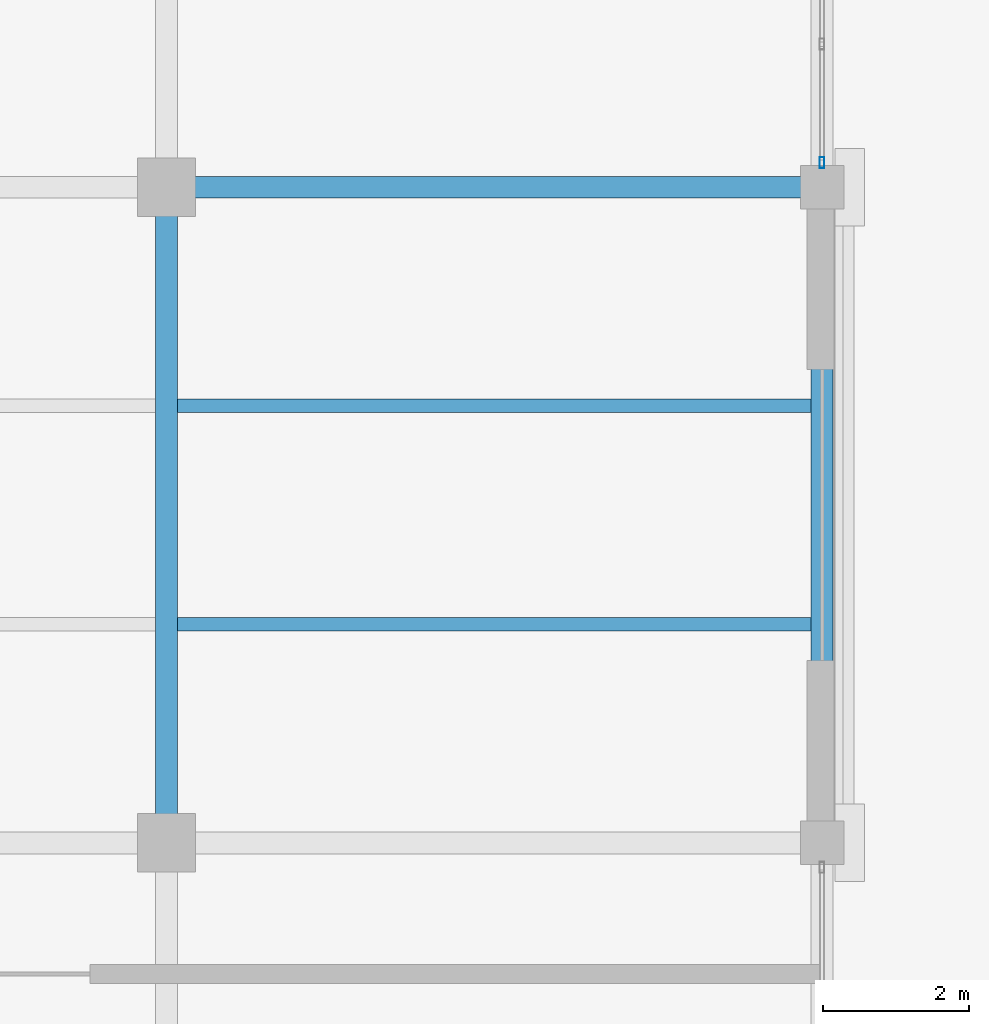
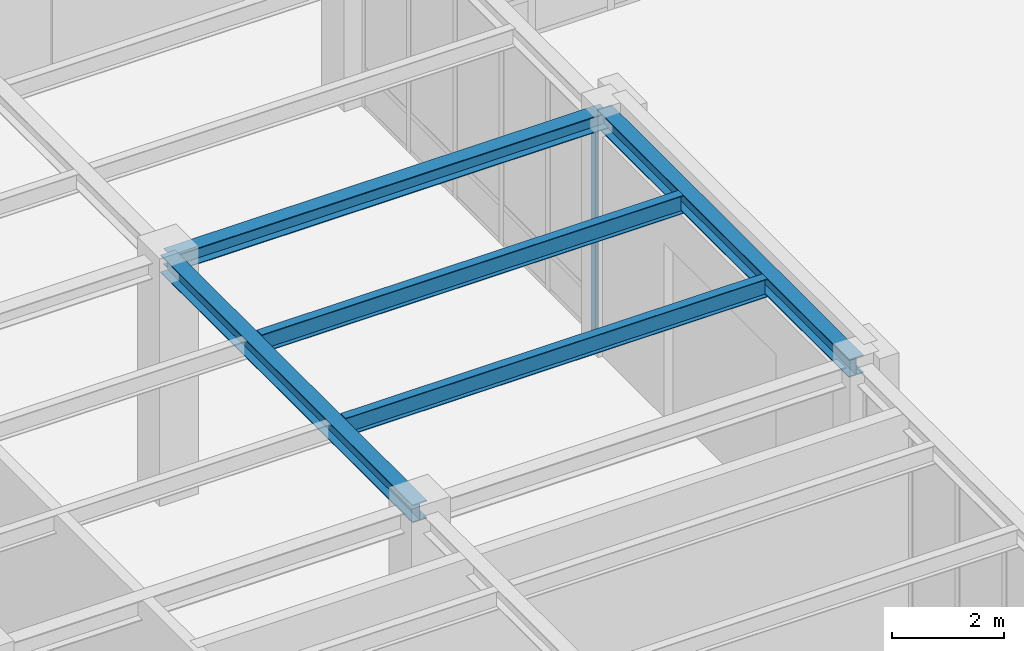
# One storey, part 44 of 77: 5 beams, 1 member, 1 element without a shape of its own.
"""IFC4 building model written with IfcOpenShell, lengths in metres."""

from ifc_helpers import new_model, si_unit, direction, frame, origin, origin_2d, place, context, subcontext, project, spatial, hollow_rectangle, i_section, extrude, material, material_profile, profile_set, type_object, element, aggregate, save


model = new_model("IFC4")

# Units and contexts
model_context = context("Model", 3, precision=1e-05, world=origin(), true_north=direction((0.0, 1.0)))
body_context = subcontext(model_context, "Body", "Model", "MODEL_VIEW")
ifc_project = project(units=[si_unit("LENGTHUNIT", "METRE"), si_unit("AREAUNIT", "SQUARE_METRE"), si_unit("VOLUMEUNIT", "CUBIC_METRE"), si_unit("PLANEANGLEUNIT", "RADIAN"), si_unit("MASSUNIT", "GRAM", prefix="KILO")], contexts=[model_context])

# Site, building, storey
site_placement = place(None, origin())
site = spatial("IfcSite", under=ifc_project, at=site_placement, CompositionType="ELEMENT")
building_placement = place(site_placement, origin())
building = spatial("IfcBuilding", under=site, at=building_placement, Name="Lykobir Media Centre", CompositionType="ELEMENT")
storey_placement = place(building_placement, origin())
storey = spatial("IfcBuildingStorey", under=building, at=storey_placement, Name="L00", CompositionType="ELEMENT", Elevation=0.0)

# Beams
ifc_material_1 = material(Name="Steel S355", Category="steel")
ifc_material_profile_1 = material_profile(ifc_material_1, i_section(OverallWidth=0.300048828125, OverallDepth=0.389892578125, WebThickness=0.010986328125, FlangeThickness=0.01904296875, at=origin_2d()), Name="HEA 400")
ifc_profile_set_1 = profile_set([ifc_material_profile_1], Name="Steel S355")
beam_type_1 = type_object("IfcBeamType", Name="BM-HEA400", PredefinedType="BEAM", material=ifc_profile_set_1)
for number, where, z_axis, x_axis, name in (
    (1, (99.0, 54.0, 4.965087890625), (0.0, 1.0, 0.0), (-1.0, 0.0, 0.0), "Beam BM-L00-0990-0540-0990-0630-496"),
    (2, (108.0, 54.0, 4.985107421875), (0.0, 1.0, 0.0), (-1.0, 0.0, 0.0), "Beam BM-L00-1080-0540-1080-0630-499"),
):
    element("IfcBeam", number, at=place(storey_placement, frame(where, z_axis=z_axis, x_axis=x_axis)), inside=storey, type_object=beam_type_1, Name=name, PredefinedType="BEAM", context=body_context, shape_type="SweptSolid", body=[
        extrude(i_section(OverallWidth=0.300048828125, OverallDepth=0.389892578125, WebThickness=0.010986328125, FlangeThickness=0.01904296875, at=origin_2d()), origin(), (0.0, 0.0, 1.0), 9.0),
    ])

# Curtain wall, member
ifc_material_2 = material(Name="Anodized Aluminium AW-6060", Category="aluminium")
curtain_wall_type = type_object("IfcCurtainWallType", Name="CW-COURT-A", PredefinedType="NOTDEFINED", material=ifc_material_2)
curtain_wall_placement = place(storey_placement, origin())
curtain_wall = element("IfcCurtainWall", 3, at=curtain_wall_placement, inside=storey, type_object=curtain_wall_type, Name="Curtain wall CW2-L00-0007", PredefinedType="NOTDEFINED")
ifc_material_profile_2 = material_profile(ifc_material_2, hollow_rectangle(XDim=0.06494140625, YDim=0.14990234375, WallThickness=0.00341796875, at=origin_2d()), Name="ALU MULLION 65x150")
ifc_profile_set_2 = profile_set([ifc_material_profile_2], Name="Anodized Aluminium AW-6060")
member_type = type_object("IfcMemberType", Name="CWM-150", PredefinedType="MULLION", material=ifc_profile_set_2)
member_placement = place(storey_placement, frame((108.0, 63.33740234375, 0.0), z_axis=(0.0, 0.0, 1.0), x_axis=(1.0, 0.0, 0.0)))
member = element("IfcMember", 4, at=member_placement, type_object=member_type, Name="CW2-L00-0007 mullion 6", PredefinedType="MULLION", context=body_context, shape_type="SweptSolid", body=[
    extrude(hollow_rectangle(XDim=0.06494140625, YDim=0.14990234375, WallThickness=0.00341796875, at=origin_2d()), origin(), (0.0, 0.0, 1.0), 4.7529296875),
])
aggregate(curtain_wall, [member])

# Beams
ifc_material_profile_3 = material_profile(ifc_material_1, i_section(OverallWidth=0.179931640625, OverallDepth=0.39990234375, WebThickness=0.008544921875, FlangeThickness=0.013427734375, at=origin_2d()), Name="IPE 400")
ifc_profile_set_3 = profile_set([ifc_material_profile_3], Name="Steel S355")
beam_type_2 = type_object("IfcBeamType", Name="JS-IPE400", PredefinedType="JOIST", material=ifc_profile_set_3)
for number, where, z_axis, x_axis, name in (
    (5, (99.14990234375, 57.0, 4.97998046875), (1.0, 0.0, 0.0), (0.0, 1.0, 0.0), "Beam BM-L00-0992-0570-1078-0570-498"),
    (6, (99.14990234375, 60.0, 4.97998046875), (1.0, 0.0, 0.0), (0.0, 1.0, 0.0), "Beam BM-L00-0992-0600-1078-0600-498"),
):
    element("IfcBeam", number, at=place(storey_placement, frame(where, z_axis=z_axis, x_axis=x_axis)), inside=storey, type_object=beam_type_2, Name=name, PredefinedType="JOIST", context=body_context, shape_type="SweptSolid", body=[
        extrude(i_section(OverallWidth=0.179931640625, OverallDepth=0.39990234375, WebThickness=0.008544921875, FlangeThickness=0.013427734375, at=origin_2d()), origin(), (0.0, 0.0, 1.0), 8.7001953125),
    ])
ifc_material_profile_4 = material_profile(ifc_material_1, i_section(OverallWidth=0.300048828125, OverallDepth=0.35009765625, WebThickness=0.010009765625, FlangeThickness=0.017578125, at=origin_2d()), Name="HEA 360")
ifc_profile_set_4 = profile_set([ifc_material_profile_4], Name="Steel S355")
beam_type_3 = type_object("IfcBeamType", Name="SP-HEA360", PredefinedType="SPANDREL", material=ifc_profile_set_4)
beam_placement = place(storey_placement, frame((99.0, 63.0, 4.98291015625), z_axis=(1.0, 0.0, 0.0), x_axis=(0.0, 1.0, 0.0)))
element("IfcBeam", 7, at=beam_placement, inside=storey, type_object=beam_type_3, Name="Beam BM-L00-0990-0630-1080-0630-500", PredefinedType="SPANDREL", context=body_context, shape_type="SweptSolid", body=[
    extrude(i_section(OverallWidth=0.300048828125, OverallDepth=0.35009765625, WebThickness=0.010009765625, FlangeThickness=0.017578125, at=origin_2d()), origin(), (0.0, 0.0, 1.0), 9.0),
])

save(model, "model.ifc")
